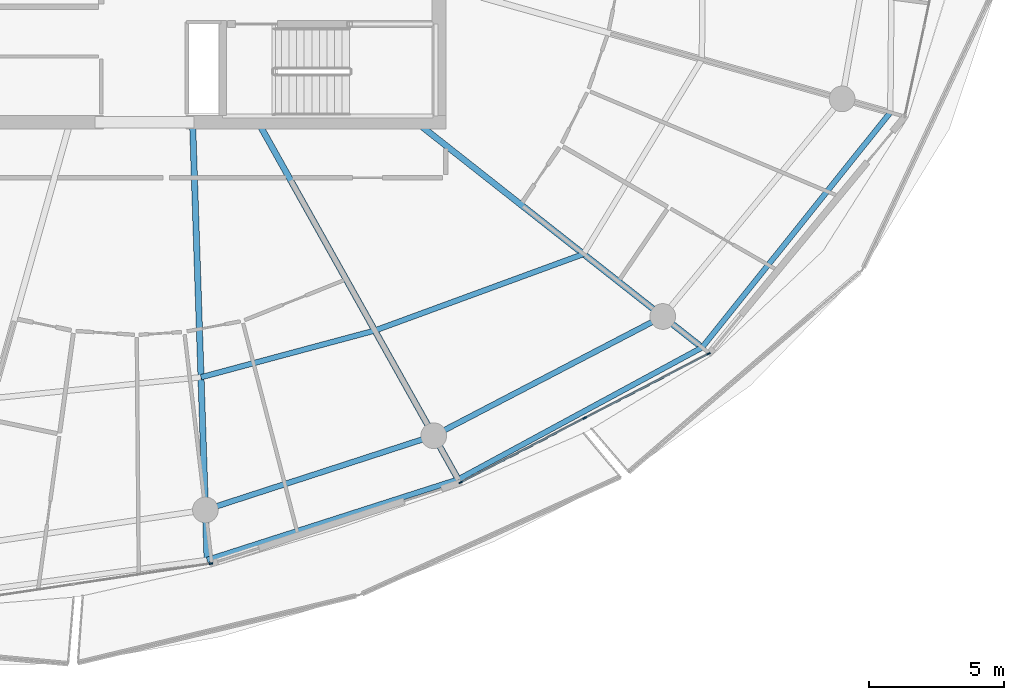
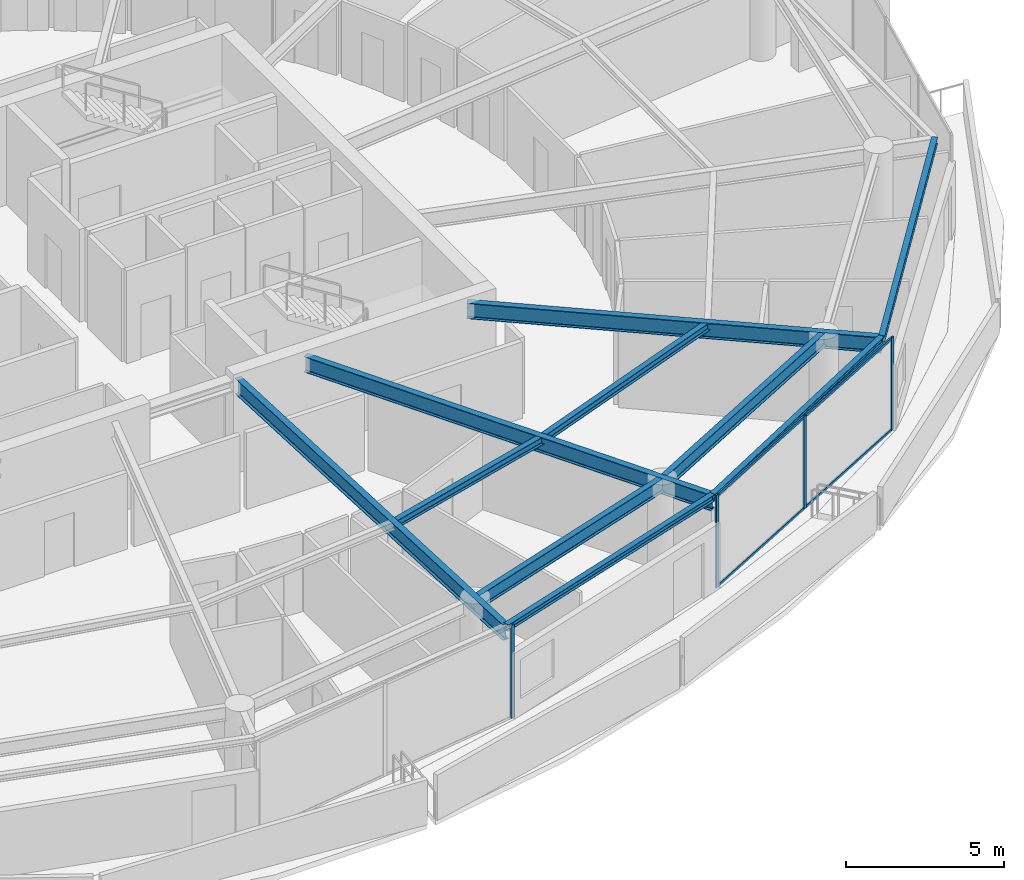
# One storey, part 9 of 30: 10 beams, 8 members, 2 elements without a shape of their own.
"""IFC4 building model written with IfcOpenShell, lengths in metres."""

from ifc_helpers import new_model, si_unit, direction, frame, origin, origin_2d, place, context, subcontext, project, spatial, rectangle, i_section, extrude, material, layer, layer_set, material_profile, profile_set, type_object, element, aggregate, save


model = new_model("IFC4")

# Units and contexts
model_context = context("Model", 3, precision=1e-05, world=origin(), true_north=direction((0.0, 1.0)))
body_context = subcontext(model_context, "Body", "Model", "MODEL_VIEW")
ifc_project = project(units=[si_unit("LENGTHUNIT", "METRE"), si_unit("AREAUNIT", "SQUARE_METRE"), si_unit("VOLUMEUNIT", "CUBIC_METRE"), si_unit("PLANEANGLEUNIT", "RADIAN"), si_unit("MASSUNIT", "GRAM", prefix="KILO")], contexts=[model_context])

# Site, building, storey
site_placement = place(None, origin())
site = spatial("IfcSite", under=ifc_project, at=site_placement, CompositionType="ELEMENT")
building_placement = place(site_placement, origin())
building = spatial("IfcBuilding", under=site, at=building_placement, Name="Kazma Halo Residences", CompositionType="ELEMENT")
storey_placement = place(building_placement, frame((0.0, 0.0, 294.449951171875)))
storey = spatial("IfcBuildingStorey", under=building, at=storey_placement, Name="L74", CompositionType="ELEMENT", Elevation=294.449951171875)

# Beams
ifc_material_1 = material(Name="Steel S355", Category="steel")
ifc_material_profile_1 = material_profile(ifc_material_1, i_section(OverallWidth=0.201904296875, OverallDepth=0.2470703125, WebThickness=0.00732421875, FlangeThickness=0.010986328125, FilletRadius=0.011962890625, at=origin_2d()), Name="W250x49.1")
ifc_profile_set_1 = profile_set([ifc_material_profile_1], Name="Steel S355")
beam_type_1 = type_object("IfcBeamType", Name="BM-BAL-CANT", PredefinedType="BEAM", material=ifc_profile_set_1)
beam_1_placement = place(storey_placement, frame((50.732666015625, 17.580078125, 3.466552734375), z_axis=(0.952222879483, 0.305403974742, 0.0), x_axis=(-0.305403974742, 0.952222879483, 0.0)))
element("IfcBeam", 1, at=beam_1_placement, inside=storey, type_object=beam_type_1, Name="L74 wave-balcony tie beam 12", PredefinedType="BEAM", context=body_context, shape_type="SweptSolid", body=[
    extrude(i_section(OverallWidth=0.201904296875, OverallDepth=0.2470703125, WebThickness=0.00732421875, FlangeThickness=0.010986328125, FilletRadius=0.011962890625, at=origin_2d()), origin(), (0.0, 0.0, 1.0), 9.742431640625),
])
beam_2_placement = place(storey_placement, frame((60.009521484375, 20.555419921875, 3.466552734375), z_axis=(0.879517282036, 0.475866946321, 0.0), x_axis=(-0.475866946321, 0.879517282036, 0.0)))
element("IfcBeam", 2, at=beam_2_placement, inside=storey, type_object=beam_type_1, Name="L74 wave-balcony tie beam 13", PredefinedType="BEAM", context=body_context, shape_type="SweptSolid", body=[
    extrude(i_section(OverallWidth=0.201904296875, OverallDepth=0.2470703125, WebThickness=0.00732421875, FlangeThickness=0.010986328125, FilletRadius=0.011962890625, at=origin_2d()), origin(), (0.0, 0.0, 1.0), 10.243408203125),
])
beam_3_placement = place(storey_placement, frame((69.018798828125, 25.429931640625, 3.466552734375), z_axis=(0.625117912406, 0.780530329705, 0.0), x_axis=(-0.780530329705, 0.625117912406, 0.0)))
element("IfcBeam", 3, at=beam_3_placement, inside=storey, type_object=beam_type_1, Name="L74 wave-balcony tie beam 14", PredefinedType="BEAM", context=body_context, shape_type="SweptSolid", body=[
    extrude(i_section(OverallWidth=0.201904296875, OverallDepth=0.2470703125, WebThickness=0.00732421875, FlangeThickness=0.010986328125, FilletRadius=0.011962890625, at=origin_2d()), origin(), (0.0, 0.0, 1.0), 11.1220703125),
])
ifc_material_profile_2 = material_profile(ifc_material_1, i_section(OverallWidth=0.22802734375, OverallDepth=0.60791015625, WebThickness=0.01123046875, FlangeThickness=0.017333984375, FilletRadius=0.01806640625, at=origin_2d()), Name="W610x113")
ifc_profile_set_2 = profile_set([ifc_material_profile_2], Name="Steel S355")
beam_type_2 = type_object("IfcBeamType", Name="BM-RAD-W610", PredefinedType="BEAM", material=ifc_profile_set_2)
beam_4_placement = place(storey_placement, frame((50.199951171875, 33.64990234375, 3.2861328125), z_axis=(0.033131810975, -0.999450990845, 0.0), x_axis=(0.999450990845, 0.033131810975, 0.0)))
element("IfcBeam", 4, at=beam_4_placement, inside=storey, type_object=beam_type_2, Name="L74 radial floor beam 12", PredefinedType="BEAM", context=body_context, shape_type="SweptSolid", body=[
    extrude(i_section(OverallWidth=0.22802734375, OverallDepth=0.60791015625, WebThickness=0.01123046875, FlangeThickness=0.017333984375, FilletRadius=0.01806640625, at=origin_2d()), origin(), (0.0, 0.0, 1.0), 16.07861328125),
])
beam_5_placement = place(storey_placement, frame((52.67626953125, 33.64990234375, 3.2861328125), z_axis=(0.488620706085, -0.872496306918, 0.0), x_axis=(0.872496306918, 0.488620706085, 0.0)))
element("IfcBeam", 5, at=beam_5_placement, inside=storey, type_object=beam_type_2, Name="L74 radial floor beam 13", PredefinedType="BEAM", context=body_context, shape_type="SweptSolid", body=[
    extrude(i_section(OverallWidth=0.22802734375, OverallDepth=0.60791015625, WebThickness=0.01123046875, FlangeThickness=0.017333984375, FilletRadius=0.01806640625, at=origin_2d()), origin(), (0.0, 0.0, 1.0), 15.008056640625),
])
beam_6_placement = place(storey_placement, frame((58.591796875, 33.64990234375, 3.2861328125), z_axis=(0.785317474283, -0.619093260007, 0.0), x_axis=(0.619093260007, 0.785317474283, 0.0)))
element("IfcBeam", 6, at=beam_6_placement, inside=storey, type_object=beam_type_2, Name="L74 radial floor beam 14", PredefinedType="BEAM", context=body_context, shape_type="SweptSolid", body=[
    extrude(i_section(OverallWidth=0.22802734375, OverallDepth=0.60791015625, WebThickness=0.01123046875, FlangeThickness=0.017333984375, FilletRadius=0.01806640625, at=origin_2d()), origin(), (0.0, 0.0, 1.0), 13.27734375),
])
ifc_material_profile_3 = material_profile(ifc_material_1, i_section(OverallWidth=0.202880859375, OverallDepth=0.302978515625, WebThickness=0.007568359375, FlangeThickness=0.01318359375, FilletRadius=0.013916015625, at=origin_2d()), Name="W310x60")
ifc_profile_set_3 = profile_set([ifc_material_profile_3], Name="Steel S355")
beam_type_3 = type_object("IfcBeamType", Name="BM-SEC-W310A", PredefinedType="JOIST", material=ifc_profile_set_3)
beam_7_placement = place(storey_placement, frame((50.509033203125, 24.32958984375, 3.4384765625), z_axis=(0.965728418457, 0.259554660493, 0.0), x_axis=(-0.259554660493, 0.965728418457, 0.0)))
element("IfcBeam", 7, at=beam_7_placement, inside=storey, type_object=beam_type_3, Name="L74 circumferential floor joist 12", PredefinedType="JOIST", context=body_context, shape_type="SweptSolid", body=[
    extrude(i_section(OverallWidth=0.202880859375, OverallDepth=0.302978515625, WebThickness=0.007568359375, FlangeThickness=0.01318359375, FilletRadius=0.013916015625, at=origin_2d()), origin(), (0.0, 0.0, 1.0), 6.648193359375),
])
beam_8_placement = place(storey_placement, frame((56.929443359375, 26.05517578125, 3.4384765625), z_axis=(0.938873433212, 0.344262510896, 0.0), x_axis=(-0.344262510896, 0.938873433212, 0.0)))
element("IfcBeam", 8, at=beam_8_placement, inside=storey, type_object=beam_type_3, Name="L74 circumferential floor joist 13", PredefinedType="JOIST", context=body_context, shape_type="SweptSolid", body=[
    extrude(i_section(OverallWidth=0.202880859375, OverallDepth=0.302978515625, WebThickness=0.007568359375, FlangeThickness=0.01318359375, FilletRadius=0.013916015625, at=origin_2d()), origin(), (0.0, 0.0, 1.0), 8.212158203125),
])
ifc_material_profile_4 = material_profile(ifc_material_1, i_section(OverallWidth=0.208984375, OverallDepth=0.532958984375, WebThickness=0.01025390625, FlangeThickness=0.015625, FilletRadius=0.01611328125, at=origin_2d()), Name="W530x92")
ifc_profile_set_4 = profile_set([ifc_material_profile_4], Name="Steel S355")
beam_type_4 = type_object("IfcBeamType", Name="BM-SPN-W530", PredefinedType="BEAM", material=ifc_profile_set_4)
beam_9_placement = place(storey_placement, frame((50.67138671875, 19.42919921875, 3.323486328125), z_axis=(0.951053893407, 0.309025066679, 0.0), x_axis=(-0.309025066679, 0.951053893407, 0.0)))
element("IfcBeam", 9, at=beam_9_placement, inside=storey, type_object=beam_type_4, Name="L74 perimeter ring beam 12", PredefinedType="BEAM", context=body_context, shape_type="SweptSolid", body=[
    extrude(i_section(OverallWidth=0.208984375, OverallDepth=0.532958984375, WebThickness=0.01025390625, FlangeThickness=0.015625, FilletRadius=0.01611328125, at=origin_2d()), origin(), (0.0, 0.0, 1.0), 8.8681640625),
])
beam_10_placement = place(storey_placement, frame((59.10546875, 22.169677734375, 3.323486328125), z_axis=(0.886961047115, 0.461844238788, 0.0), x_axis=(-0.461844238788, 0.886961047115, 0.0)))
element("IfcBeam", 10, at=beam_10_placement, inside=storey, type_object=beam_type_4, Name="L74 perimeter ring beam 13", PredefinedType="BEAM", context=body_context, shape_type="SweptSolid", body=[
    extrude(i_section(OverallWidth=0.208984375, OverallDepth=0.532958984375, WebThickness=0.01025390625, FlangeThickness=0.015625, FilletRadius=0.01611328125, at=origin_2d()), origin(), (0.0, 0.0, 1.0), 9.5390625),
])

# Curtain wall, member
ifc_material_2 = material(Name="Aluminium AW-6063 T6 and Triple-Silver Low-E Glass", Category="aluminium")
ifc_layer = layer(ifc_material_2, 0.139892578125)
ifc_layer_set = layer_set([ifc_layer], Name="Aluminium AW-6063 T6 and Triple-Silver Low-E Glass")
curtain_wall_type = type_object("IfcCurtainWallType", Name="CW-SYS-5", PredefinedType="NOTDEFINED", material=ifc_layer_set)
curtain_wall_1_placement = place(storey_placement, origin())
curtain_wall_1 = element("IfcCurtainWall", 11, at=curtain_wall_1_placement, inside=storey, type_object=curtain_wall_type, Name="L74 unitised curtain wall B11", PredefinedType="NOTDEFINED")
ifc_material_3 = material(Name="Aluminium AW-6063 T6", Category="aluminium")
ifc_material_profile_5 = material_profile(ifc_material_3, rectangle(XDim=0.06005859375, YDim=0.139892578125, at=origin_2d()), Name="CWM-60x140")
ifc_profile_set_5 = profile_set([ifc_material_profile_5], Name="Aluminium AW-6063 T6")
member_type_1 = type_object("IfcMemberType", Name="CW-SYS-5-MUL", PredefinedType="MULLION", material=ifc_profile_set_5)
member_1_placement = place(storey_placement, frame((50.875732421875, 17.447265625, 0.0), z_axis=(0.0, 0.0, 1.0), x_axis=(-0.148697080374, 0.988882792998, 0.0)))
member_1 = element("IfcMember", 12, at=member_1_placement, type_object=member_type_1, Name="CWS-5 mullion 3", PredefinedType="MULLION", context=body_context, shape_type="SweptSolid", body=[
    extrude(rectangle(XDim=0.06005859375, YDim=0.139892578125, at=origin_2d()), origin(), (0.0, 0.0, 1.0), 3.590087890625),
])
aggregate(curtain_wall_1, [member_1])

# Curtain wall, members
curtain_wall_2_placement = place(storey_placement, origin())
curtain_wall_2 = element("IfcCurtainWall", 13, at=curtain_wall_2_placement, inside=storey, type_object=curtain_wall_type, Name="L74 unitised curtain wall B13", PredefinedType="NOTDEFINED")
member_2_placement = place(storey_placement, frame((60.105224609375, 20.446044921875, 0.0), z_axis=(0.0, 0.0, 1.0), x_axis=(-0.460960760804, 0.887420518694, 0.0)))
member_2 = element("IfcMember", 14, at=member_2_placement, type_object=member_type_1, Name="CWS-5 mullion 1", PredefinedType="MULLION", context=body_context, shape_type="SweptSolid", body=[
    extrude(rectangle(XDim=0.06005859375, YDim=0.139892578125, at=origin_2d()), origin(), (0.0, 0.0, 1.0), 3.590087890625),
])
member_3_placement = place(storey_placement, frame((64.68408203125, 22.824462890625, 0.0), z_axis=(0.0, 0.0, 1.0), x_axis=(-0.460960760804, 0.887420518694, 0.0)))
member_3 = element("IfcMember", 15, at=member_3_placement, type_object=member_type_1, Name="CWS-5 mullion 2", PredefinedType="MULLION", context=body_context, shape_type="SweptSolid", body=[
    extrude(rectangle(XDim=0.06005859375, YDim=0.139892578125, at=origin_2d()), origin(), (0.0, 0.0, 1.0), 3.590087890625),
])
member_4_placement = place(storey_placement, frame((69.262939453125, 25.202880859375, 0.0), z_axis=(0.0, 0.0, 1.0), x_axis=(-0.460960760804, 0.887420518694, 0.0)))
member_4 = element("IfcMember", 16, at=member_4_placement, type_object=member_type_1, Name="CWS-5 mullion 3", PredefinedType="MULLION", context=body_context, shape_type="SweptSolid", body=[
    extrude(rectangle(XDim=0.06005859375, YDim=0.139892578125, at=origin_2d()), origin(), (0.0, 0.0, 1.0), 3.590087890625),
])
ifc_material_profile_6 = material_profile(ifc_material_3, rectangle(XDim=0.06005859375, YDim=0.10498046875, at=origin_2d()), Name="CWT-60x105")
ifc_profile_set_6 = profile_set([ifc_material_profile_6], Name="Aluminium AW-6063 T6")
member_type_2 = type_object("IfcMemberType", Name="CW-SYS-5-TRN", PredefinedType="USERDEFINED", material=ifc_profile_set_6)
member_5_placement = place(storey_placement, frame((60.1318359375, 20.4599609375, 0.030029296875), z_axis=(0.887436955863, 0.46092911534, 0.0), x_axis=(-0.46092911534, 0.887436955863, 0.0)))
member_5 = element("IfcMember", 17, at=member_5_placement, type_object=member_type_2, Name="CWS-5 transom 1.1", ObjectType="TRANSOM", PredefinedType="USERDEFINED", context=body_context, shape_type="SweptSolid", body=[
    extrude(rectangle(XDim=0.06005859375, YDim=0.10498046875, at=origin_2d()), origin(), (0.0, 0.0, 1.0), 5.099609375),
])
member_6_placement = place(storey_placement, frame((60.1318359375, 20.4599609375, 3.56005859375), z_axis=(0.887436955863, 0.46092911534, 0.0), x_axis=(-0.46092911534, 0.887436955863, 0.0)))
member_6 = element("IfcMember", 18, at=member_6_placement, type_object=member_type_2, Name="CWS-5 transom 1.2", ObjectType="TRANSOM", PredefinedType="USERDEFINED", context=body_context, shape_type="SweptSolid", body=[
    extrude(rectangle(XDim=0.06005859375, YDim=0.10498046875, at=origin_2d()), origin(), (0.0, 0.0, 1.0), 5.099609375),
])
member_7_placement = place(storey_placement, frame((64.710693359375, 22.83837890625, 0.030029296875), z_axis=(0.887436955863, 0.46092911534, 0.0), x_axis=(-0.46092911534, 0.887436955863, 0.0)))
member_7 = element("IfcMember", 19, at=member_7_placement, type_object=member_type_2, Name="CWS-5 transom 2.1", ObjectType="TRANSOM", PredefinedType="USERDEFINED", context=body_context, shape_type="SweptSolid", body=[
    extrude(rectangle(XDim=0.06005859375, YDim=0.10498046875, at=origin_2d()), origin(), (0.0, 0.0, 1.0), 5.099609375),
])
member_8_placement = place(storey_placement, frame((64.710693359375, 22.83837890625, 3.56005859375), z_axis=(0.887436955863, 0.46092911534, 0.0), x_axis=(-0.46092911534, 0.887436955863, 0.0)))
member_8 = element("IfcMember", 20, at=member_8_placement, type_object=member_type_2, Name="CWS-5 transom 2.2", ObjectType="TRANSOM", PredefinedType="USERDEFINED", context=body_context, shape_type="SweptSolid", body=[
    extrude(rectangle(XDim=0.06005859375, YDim=0.10498046875, at=origin_2d()), origin(), (0.0, 0.0, 1.0), 5.099609375),
])
aggregate(curtain_wall_2, [member_2, member_3, member_4, member_5, member_6, member_7, member_8])

save(model, "model.ifc")
